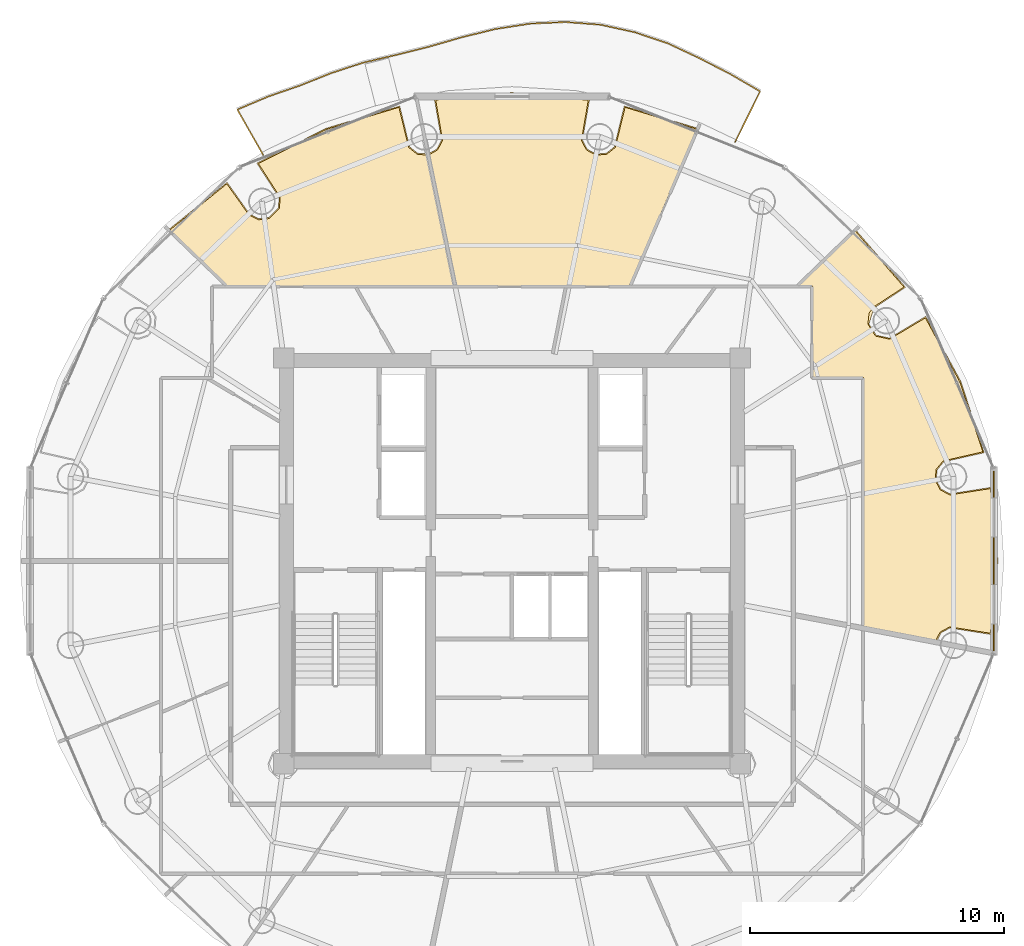
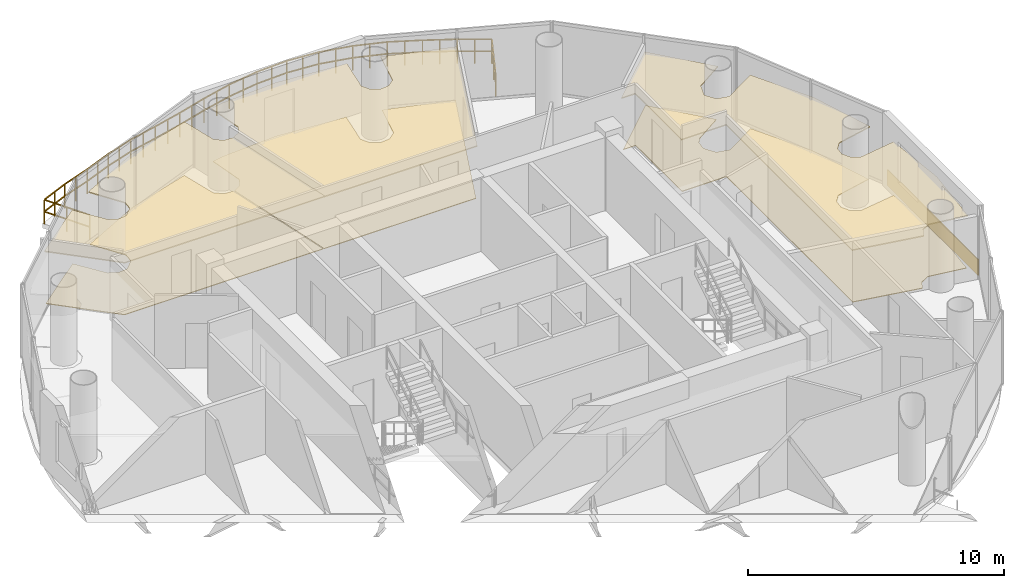
# One storey, part 23 of 23: 7 coverings, 1 railing.
"""IFC4 building model written with IfcOpenShell, lengths in metres."""

from ifc_helpers import new_model, si_unit, direction, frame, origin, origin_2d, place, context, subcontext, project, spatial, polyline, rectangle, outline, extrude, source, transform, mapped, material, layer, layer_set, type_object, element, save


model = new_model("IFC4")

# Units and contexts
model_context = context("Model", 3, precision=1e-05, world=origin(), true_north=direction((-0.2419218956, 0.970295726276)))
body_context = subcontext(model_context, "Body", "Model", "MODEL_VIEW")
ifc_project = project(units=[si_unit("LENGTHUNIT", "METRE"), si_unit("AREAUNIT", "SQUARE_METRE"), si_unit("VOLUMEUNIT", "CUBIC_METRE"), si_unit("PLANEANGLEUNIT", "RADIAN"), si_unit("MASSUNIT", "GRAM", prefix="KILO")], contexts=[model_context])

# Site, building, storey
site_placement = place(None, origin())
site = spatial("IfcSite", under=ifc_project, at=site_placement, CompositionType="ELEMENT")
building_placement = place(site_placement, origin())
building = spatial("IfcBuilding", under=site, at=building_placement, Name="Cobrevalo Terracotta Tower", CompositionType="ELEMENT")
storey_placement = place(building_placement, frame((0.0, 0.0, 266.949951171875)))
storey = spatial("IfcBuildingStorey", under=building, at=storey_placement, Name="L70", CompositionType="ELEMENT", Elevation=266.949951171875)

# Railing
ifc_material_1 = material(Name="Laminated structural glass and stainless steel", Category="steel")
railing_type = type_object("IfcRailingType", Name="Balcony lobe structural glass & terracotta-cap balustrade 1180 mm", PredefinedType="BALUSTRADE", material=ifc_material_1)
railing_placement = place(storey_placement, frame((46.80029296875, 43.32275390625, 0.0)))
element("IfcRailing", 1, at=railing_placement, inside=storey, type_object=railing_type, Name="L70 spiralling balcony lobe balustrade 1", PredefinedType="BALUSTRADE", context=body_context, shape_type="SweptSolid", body=[
    extrude(rectangle(XDim=0.048095703125, YDim=0.048095703125, at=origin_2d()), frame((0.0, 0.0, 1.15576171875), z_axis=(0.443514739531, 0.896267078397, 0.0), x_axis=(-0.896267078397, 0.443514739531, 0.0)), (0.0, 0.0, 1.0), 2.219970703125),
    extrude(rectangle(XDim=0.048095703125, YDim=0.048095703125, at=origin_2d()), frame((0.0, 0.0, 0.58984375), z_axis=(0.443514739531, 0.896267078397, 0.0), x_axis=(-0.896267078397, 0.443514739531, 0.0)), (0.0, 0.0, 1.0), 2.219970703125),
    extrude(rectangle(XDim=0.048095703125, YDim=0.048095703125, at=origin_2d()), frame((0.984619140625, 1.98974609375, 1.15576171875), z_axis=(-0.864105865259, 0.503310096884, 0.0), x_axis=(-0.503310096884, -0.864105865259, 0.0)), (0.0, 0.0, 1.0), 1.353271484375),
    extrude(rectangle(XDim=0.048095703125, YDim=0.048095703125, at=origin_2d()), frame((0.984619140625, 1.98974609375, 0.58984375), z_axis=(-0.864105865259, 0.503310096884, 0.0), x_axis=(-0.503310096884, -0.864105865259, 0.0)), (0.0, 0.0, 1.0), 1.353271484375),
    extrude(rectangle(XDim=0.048095703125, YDim=0.048095703125, at=origin_2d()), frame((-0.184814453125, 2.6708984375, 1.15576171875), z_axis=(-0.889358520321, 0.457210479247, 0.0), x_axis=(-0.457210479247, -0.889358520321, 0.0)), (0.0, 0.0, 1.0), 1.36376953125),
    extrude(rectangle(XDim=0.048095703125, YDim=0.048095703125, at=origin_2d()), frame((-0.184814453125, 2.6708984375, 0.58984375), z_axis=(-0.889358520321, 0.457210479247, 0.0), x_axis=(-0.457210479247, -0.889358520321, 0.0)), (0.0, 0.0, 1.0), 1.36376953125),
    extrude(rectangle(XDim=0.048095703125, YDim=0.048095703125, at=origin_2d()), frame((-1.397705078125, 3.29443359375, 1.15576171875), z_axis=(-0.905254986082, 0.424868697569, 0.0), x_axis=(-0.424868697569, -0.905254986082, 0.0)), (0.0, 0.0, 1.0), 1.380859375),
    extrude(rectangle(XDim=0.048095703125, YDim=0.048095703125, at=origin_2d()), frame((-1.397705078125, 3.29443359375, 0.58984375), z_axis=(-0.905254986082, 0.424868697569, 0.0), x_axis=(-0.424868697569, -0.905254986082, 0.0)), (0.0, 0.0, 1.0), 1.380859375),
    extrude(rectangle(XDim=0.048095703125, YDim=0.048095703125, at=origin_2d()), frame((-2.647705078125, 3.881103515625, 1.15576171875), z_axis=(-0.947617394747, 0.31940769116, 0.0), x_axis=(-0.31940769116, -0.947617394747, 0.0)), (0.0, 0.0, 1.0), 1.381103515625),
    extrude(rectangle(XDim=0.048095703125, YDim=0.048095703125, at=origin_2d()), frame((-2.647705078125, 3.881103515625, 0.58984375), z_axis=(-0.947617394747, 0.31940769116, 0.0), x_axis=(-0.31940769116, -0.947617394747, 0.0)), (0.0, 0.0, 1.0), 1.381103515625),
    extrude(rectangle(XDim=0.048095703125, YDim=0.048095703125, at=origin_2d()), frame((-3.95654296875, 4.322265625, 1.15576171875), z_axis=(-0.976698419764, 0.214616394601, 0.0), x_axis=(-0.214616394601, -0.976698419764, 0.0)), (0.0, 0.0, 1.0), 1.385498046875),
    extrude(rectangle(XDim=0.048095703125, YDim=0.048095703125, at=origin_2d()), frame((-3.95654296875, 4.322265625, 0.58984375), z_axis=(-0.976698419764, 0.214616394601, 0.0), x_axis=(-0.214616394601, -0.976698419764, 0.0)), (0.0, 0.0, 1.0), 1.385498046875),
    extrude(rectangle(XDim=0.048095703125, YDim=0.048095703125, at=origin_2d()), frame((-5.309814453125, 4.61962890625, 1.15576171875), z_axis=(-0.996995023064, 0.077465630996, 0.0), x_axis=(-0.077465630996, -0.996995023064, 0.0)), (0.0, 0.0, 1.0), 1.383544921875),
    extrude(rectangle(XDim=0.048095703125, YDim=0.048095703125, at=origin_2d()), frame((-5.309814453125, 4.61962890625, 0.58984375), z_axis=(-0.996995023064, 0.077465630996, 0.0), x_axis=(-0.077465630996, -0.996995023064, 0.0)), (0.0, 0.0, 1.0), 1.383544921875),
    extrude(rectangle(XDim=0.048095703125, YDim=0.048095703125, at=origin_2d()), frame((-6.689208984375, 4.726806640625, 1.15576171875), z_axis=(-0.998952143207, -0.045766970438, 0.0), x_axis=(0.045766970438, -0.998952143207, 0.0)), (0.0, 0.0, 1.0), 1.386962890625),
    extrude(rectangle(XDim=0.048095703125, YDim=0.048095703125, at=origin_2d()), frame((-6.689208984375, 4.726806640625, 0.58984375), z_axis=(-0.998952143207, -0.045766970438, 0.0), x_axis=(0.045766970438, -0.998952143207, 0.0)), (0.0, 0.0, 1.0), 1.386962890625),
    extrude(rectangle(XDim=0.048095703125, YDim=0.048095703125, at=origin_2d()), frame((-8.07470703125, 4.663330078125, 1.15576171875), z_axis=(-0.988224164346, -0.153013074615, 0.0), x_axis=(0.153013074615, -0.988224164346, 0.0)), (0.0, 0.0, 1.0), 1.3818359375),
    extrude(rectangle(XDim=0.048095703125, YDim=0.048095703125, at=origin_2d()), frame((-8.07470703125, 4.663330078125, 0.58984375), z_axis=(-0.988224164346, -0.153013074615, 0.0), x_axis=(0.153013074615, -0.988224164346, 0.0)), (0.0, 0.0, 1.0), 1.3818359375),
    extrude(rectangle(XDim=0.048095703125, YDim=0.048095703125, at=origin_2d()), frame((-9.440185546875, 4.451904296875, 1.15576171875), z_axis=(-0.971371717498, -0.237564699494, 0.0), x_axis=(0.237564699494, -0.971371717498, 0.0)), (0.0, 0.0, 1.0), 1.3759765625),
    extrude(rectangle(XDim=0.048095703125, YDim=0.048095703125, at=origin_2d()), frame((-9.440185546875, 4.451904296875, 0.58984375), z_axis=(-0.971371717498, -0.237564699494, 0.0), x_axis=(0.237564699494, -0.971371717498, 0.0)), (0.0, 0.0, 1.0), 1.3759765625),
    extrude(rectangle(XDim=0.048095703125, YDim=0.048095703125, at=origin_2d()), frame((-10.77685546875, 4.125, 1.15576171875), z_axis=(-0.961148859988, -0.276030557989, 0.0), x_axis=(0.276030557989, -0.961148859988, 0.0)), (0.0, 0.0, 1.0), 1.35400390625),
    extrude(rectangle(XDim=0.048095703125, YDim=0.048095703125, at=origin_2d()), frame((-10.77685546875, 4.125, 0.58984375), z_axis=(-0.961148859988, -0.276030557989, 0.0), x_axis=(0.276030557989, -0.961148859988, 0.0)), (0.0, 0.0, 1.0), 1.35400390625),
    extrude(rectangle(XDim=0.048095703125, YDim=0.048095703125, at=origin_2d()), frame((-12.078369140625, 3.751220703125, 1.15576171875), z_axis=(-0.970185621417, -0.242363074738, 0.0), x_axis=(0.242363074738, -0.970185621417, 0.0)), (0.0, 0.0, 1.0), 1.331787109375),
    extrude(rectangle(XDim=0.048095703125, YDim=0.048095703125, at=origin_2d()), frame((-12.078369140625, 3.751220703125, 0.58984375), z_axis=(-0.970185621417, -0.242363074738, 0.0), x_axis=(0.242363074738, -0.970185621417, 0.0)), (0.0, 0.0, 1.0), 1.331787109375),
    extrude(rectangle(XDim=0.048095703125, YDim=0.048095703125, at=origin_2d()), frame((-13.370361328125, 3.428466796875, 1.15576171875), z_axis=(-0.973605429616, -0.228237743205, 0.0), x_axis=(0.228237743205, -0.973605429616, 0.0)), (0.0, 0.0, 1.0), 1.32421875),
    extrude(rectangle(XDim=0.048095703125, YDim=0.048095703125, at=origin_2d()), frame((-13.370361328125, 3.428466796875, 0.58984375), z_axis=(-0.973605429616, -0.228237743205, 0.0), x_axis=(0.228237743205, -0.973605429616, 0.0)), (0.0, 0.0, 1.0), 1.32421875),
    extrude(rectangle(XDim=0.048095703125, YDim=0.048095703125, at=origin_2d()), frame((-14.65966796875, 3.126220703125, 1.15576171875), z_axis=(-0.950799488594, -0.309806927762, 0.0), x_axis=(0.309806927762, -0.950799488594, 0.0)), (0.0, 0.0, 1.0), 1.32470703125),
    extrude(rectangle(XDim=0.048095703125, YDim=0.048095703125, at=origin_2d()), frame((-14.65966796875, 3.126220703125, 0.58984375), z_axis=(-0.950799488594, -0.309806927762, 0.0), x_axis=(0.309806927762, -0.950799488594, 0.0)), (0.0, 0.0, 1.0), 1.32470703125),
    extrude(rectangle(XDim=0.048095703125, YDim=0.048095703125, at=origin_2d()), frame((-15.919189453125, 2.7158203125, 1.15576171875), z_axis=(-0.928731399284, -0.370753271037, 0.0), x_axis=(0.370753271037, -0.928731399284, 0.0)), (0.0, 0.0, 1.0), 1.321044921875),
    extrude(rectangle(XDim=0.048095703125, YDim=0.048095703125, at=origin_2d()), frame((-15.919189453125, 2.7158203125, 0.58984375), z_axis=(-0.928731399284, -0.370753271037, 0.0), x_axis=(0.370753271037, -0.928731399284, 0.0)), (0.0, 0.0, 1.0), 1.321044921875),
    extrude(rectangle(XDim=0.048095703125, YDim=0.048095703125, at=origin_2d()), frame((-17.14599609375, 2.22607421875, 1.15576171875), z_axis=(-0.945304609159, -0.326188896045, 0.0), x_axis=(0.326188896045, -0.945304609159, 0.0)), (0.0, 0.0, 1.0), 1.32861328125),
    extrude(rectangle(XDim=0.048095703125, YDim=0.048095703125, at=origin_2d()), frame((-17.14599609375, 2.22607421875, 0.58984375), z_axis=(-0.945304609159, -0.326188896045, 0.0), x_axis=(0.326188896045, -0.945304609159, 0.0)), (0.0, 0.0, 1.0), 1.32861328125),
    extrude(rectangle(XDim=0.048095703125, YDim=0.048095703125, at=origin_2d()), frame((-18.40185546875, 1.792724609375, 1.15576171875), z_axis=(-0.92115915726, -0.389186082737, 0.0), x_axis=(0.389186082737, -0.92115915726, 0.0)), (0.0, 0.0, 1.0), 1.333740234375),
    extrude(rectangle(XDim=0.048095703125, YDim=0.048095703125, at=origin_2d()), frame((-18.40185546875, 1.792724609375, 0.58984375), z_axis=(-0.92115915726, -0.389186082737, 0.0), x_axis=(0.389186082737, -0.92115915726, 0.0)), (0.0, 0.0, 1.0), 1.333740234375),
    extrude(rectangle(XDim=0.048095703125, YDim=0.048095703125, at=origin_2d()), frame((-19.63037109375, 1.273681640625, 1.15576171875), z_axis=(0.494972170145, -0.868908827658, 0.0), x_axis=(0.868908827658, 0.494972170145, 0.0)), (0.0, 0.0, 1.0), 2.05126953125),
    extrude(rectangle(XDim=0.048095703125, YDim=0.048095703125, at=origin_2d()), frame((-19.63037109375, 1.273681640625, 0.58984375), z_axis=(0.494972170145, -0.868908827658, 0.0), x_axis=(0.868908827658, 0.494972170145, 0.0)), (0.0, 0.0, 1.0), 2.05126953125),
    extrude(rectangle(XDim=0.0419921875, YDim=0.0419921875, at=origin_2d()), origin(), (0.0, 0.0, 1.0), 1.1318359375),
    extrude(rectangle(XDim=0.0419921875, YDim=0.0419921875, at=origin_2d()), frame((0.4921875, 0.994873046875, 0.0)), (0.0, 0.0, 1.0), 1.1318359375),
    extrude(rectangle(XDim=0.0419921875, YDim=0.0419921875, at=origin_2d()), frame((0.984619140625, 1.98974609375, 0.0)), (0.0, 0.0, 1.0), 1.1318359375),
    extrude(rectangle(XDim=0.0419921875, YDim=0.0419921875, at=origin_2d()), frame((0.39990234375, 2.330322265625, 0.0)), (0.0, 0.0, 1.0), 1.1318359375),
    extrude(rectangle(XDim=0.0419921875, YDim=0.0419921875, at=origin_2d()), frame((-0.184814453125, 2.6708984375, 0.0)), (0.0, 0.0, 1.0), 1.1318359375),
    extrude(rectangle(XDim=0.0419921875, YDim=0.0419921875, at=origin_2d()), frame((-0.791259765625, 2.982666015625, 0.0)), (0.0, 0.0, 1.0), 1.1318359375),
    extrude(rectangle(XDim=0.0419921875, YDim=0.0419921875, at=origin_2d()), frame((-1.397705078125, 3.29443359375, 0.0)), (0.0, 0.0, 1.0), 1.1318359375),
    extrude(rectangle(XDim=0.0419921875, YDim=0.0419921875, at=origin_2d()), frame((-2.022705078125, 3.587890625, 0.0)), (0.0, 0.0, 1.0), 1.1318359375),
    extrude(rectangle(XDim=0.0419921875, YDim=0.0419921875, at=origin_2d()), frame((-2.647705078125, 3.881103515625, 0.0)), (0.0, 0.0, 1.0), 1.1318359375),
    extrude(rectangle(XDim=0.0419921875, YDim=0.0419921875, at=origin_2d()), frame((-3.30224609375, 4.1015625, 0.0)), (0.0, 0.0, 1.0), 1.1318359375),
    extrude(rectangle(XDim=0.0419921875, YDim=0.0419921875, at=origin_2d()), frame((-3.95654296875, 4.322265625, 0.0)), (0.0, 0.0, 1.0), 1.1318359375),
    extrude(rectangle(XDim=0.0419921875, YDim=0.0419921875, at=origin_2d()), frame((-4.63330078125, 4.470947265625, 0.0)), (0.0, 0.0, 1.0), 1.1318359375),
    extrude(rectangle(XDim=0.0419921875, YDim=0.0419921875, at=origin_2d()), frame((-5.309814453125, 4.61962890625, 0.0)), (0.0, 0.0, 1.0), 1.1318359375),
    extrude(rectangle(XDim=0.0419921875, YDim=0.0419921875, at=origin_2d()), frame((-5.99951171875, 4.67333984375, 0.0)), (0.0, 0.0, 1.0), 1.1318359375),
    extrude(rectangle(XDim=0.0419921875, YDim=0.0419921875, at=origin_2d()), frame((-6.689208984375, 4.726806640625, 0.0)), (0.0, 0.0, 1.0), 1.1318359375),
    extrude(rectangle(XDim=0.0419921875, YDim=0.0419921875, at=origin_2d()), frame((-7.3818359375, 4.695068359375, 0.0)), (0.0, 0.0, 1.0), 1.1318359375),
    extrude(rectangle(XDim=0.0419921875, YDim=0.0419921875, at=origin_2d()), frame((-8.07470703125, 4.663330078125, 0.0)), (0.0, 0.0, 1.0), 1.1318359375),
    extrude(rectangle(XDim=0.0419921875, YDim=0.0419921875, at=origin_2d()), frame((-8.75732421875, 4.5576171875, 0.0)), (0.0, 0.0, 1.0), 1.1318359375),
    extrude(rectangle(XDim=0.0419921875, YDim=0.0419921875, at=origin_2d()), frame((-9.440185546875, 4.451904296875, 0.0)), (0.0, 0.0, 1.0), 1.1318359375),
    extrude(rectangle(XDim=0.0419921875, YDim=0.0419921875, at=origin_2d()), frame((-10.1083984375, 4.28857421875, 0.0)), (0.0, 0.0, 1.0), 1.1318359375),
    extrude(rectangle(XDim=0.0419921875, YDim=0.0419921875, at=origin_2d()), frame((-10.77685546875, 4.125, 0.0)), (0.0, 0.0, 1.0), 1.1318359375),
    extrude(rectangle(XDim=0.0419921875, YDim=0.0419921875, at=origin_2d()), frame((-11.427734375, 3.93798828125, 0.0)), (0.0, 0.0, 1.0), 1.1318359375),
    extrude(rectangle(XDim=0.0419921875, YDim=0.0419921875, at=origin_2d()), frame((-12.078369140625, 3.751220703125, 0.0)), (0.0, 0.0, 1.0), 1.1318359375),
    extrude(rectangle(XDim=0.0419921875, YDim=0.0419921875, at=origin_2d()), frame((-12.724365234375, 3.58984375, 0.0)), (0.0, 0.0, 1.0), 1.1318359375),
    extrude(rectangle(XDim=0.0419921875, YDim=0.0419921875, at=origin_2d()), frame((-13.370361328125, 3.428466796875, 0.0)), (0.0, 0.0, 1.0), 1.1318359375),
    extrude(rectangle(XDim=0.0419921875, YDim=0.0419921875, at=origin_2d()), frame((-14.01513671875, 3.27734375, 0.0)), (0.0, 0.0, 1.0), 1.1318359375),
    extrude(rectangle(XDim=0.0419921875, YDim=0.0419921875, at=origin_2d()), frame((-14.65966796875, 3.126220703125, 0.0)), (0.0, 0.0, 1.0), 1.1318359375),
    extrude(rectangle(XDim=0.0419921875, YDim=0.0419921875, at=origin_2d()), frame((-15.28955078125, 2.9208984375, 0.0)), (0.0, 0.0, 1.0), 1.1318359375),
    extrude(rectangle(XDim=0.0419921875, YDim=0.0419921875, at=origin_2d()), frame((-15.919189453125, 2.7158203125, 0.0)), (0.0, 0.0, 1.0), 1.1318359375),
    extrude(rectangle(XDim=0.0419921875, YDim=0.0419921875, at=origin_2d()), frame((-16.53271484375, 2.470947265625, 0.0)), (0.0, 0.0, 1.0), 1.1318359375),
    extrude(rectangle(XDim=0.0419921875, YDim=0.0419921875, at=origin_2d()), frame((-17.14599609375, 2.22607421875, 0.0)), (0.0, 0.0, 1.0), 1.1318359375),
    extrude(rectangle(XDim=0.0419921875, YDim=0.0419921875, at=origin_2d()), frame((-17.77392578125, 2.00927734375, 0.0)), (0.0, 0.0, 1.0), 1.1318359375),
    extrude(rectangle(XDim=0.0419921875, YDim=0.0419921875, at=origin_2d()), frame((-18.40185546875, 1.792724609375, 0.0)), (0.0, 0.0, 1.0), 1.1318359375),
    extrude(rectangle(XDim=0.0419921875, YDim=0.0419921875, at=origin_2d()), frame((-19.01611328125, 1.533203125, 0.0)), (0.0, 0.0, 1.0), 1.1318359375),
    extrude(rectangle(XDim=0.0419921875, YDim=0.0419921875, at=origin_2d()), frame((-19.63037109375, 1.273681640625, 0.0)), (0.0, 0.0, 1.0), 1.1318359375),
    extrude(rectangle(XDim=0.0419921875, YDim=0.0419921875, at=origin_2d()), frame((-19.12255859375, 0.38232421875, 0.0)), (0.0, 0.0, 1.0), 1.1318359375),
    extrude(rectangle(XDim=0.0419921875, YDim=0.0419921875, at=origin_2d()), frame((-18.614990234375, -0.5087890625, 0.0)), (0.0, 0.0, 1.0), 1.1318359375),
])

# Coverings
ifc_material_2 = material(Name="Engineered Brazilian hardwood flooring", Category="wood")
ifc_layer_1 = layer(ifc_material_2, 0.028076171875)
ifc_layer_set_1 = layer_set([ifc_layer_1], Name="Engineered Brazilian hardwood flooring")
covering_type_1 = type_object("IfcCoveringType", Name="Engineered Hardwood Suite Flooring 28", PredefinedType="FLOORING", material=ifc_layer_set_1)
covering_1_placement = place(storey_placement, origin())
element("IfcCovering", 2, at=covering_1_placement, inside=storey, type_object=covering_type_1, Name="Flat L70A Living and Dining Room floor finish", PredefinedType="FLOORING", context=body_context, shape_type="SweptSolid", body=[
    extrude(outline(polyline([(51.52978515625, 39.81396484375), (53.4560546875, 37.599365234375), (52.2451171875, 36.805419921875), (52.080078125, 36.568359375), (52.0302734375, 36.1416015625), (52.336181640625, 35.664794921875), (52.8896484375, 35.5439453125), (54.300048828125, 36.382568359375), (55.66455078125, 33.848876953125), (56.56494140625, 31.1005859375), (55.00244140625, 30.74462890625), (54.727294921875, 30.41455078125), (54.681884765625, 29.9873046875), (54.881591796875, 29.60693359375), (55.259033203125, 29.401611328125), (56.8642578125, 29.65087890625), (57.119873046875, 26.800048828125), (56.8642578125, 23.948974609375), (55.259033203125, 24.198486328125), (54.881591796875, 23.9931640625), (54.6845703125, 23.621337890625), (51.85498046875, 24.163818359375), (51.85498046875, 34.030029296875), (49.844970703125, 34.030029296875), (49.844970703125, 37.64501953125), (49.27978515625, 37.64501953125), (51.52978515625, 39.81396484375)])), origin(), (0.0, 0.0, 1.0), 0.030029296875),
])
covering_2_placement = place(storey_placement, origin())
element("IfcCovering", 3, at=covering_2_placement, inside=storey, type_object=covering_type_1, Name="Flat L70A Penthouse Family Lounge floor finish", PredefinedType="FLOORING", context=body_context, shape_type="SweptSolid", body=[
    extrude(outline(polyline([(34.71728515625, 42.80712890625), (35.064453125, 43.003173828125), (35.26416015625, 43.3837890625), (34.994140625, 44.964599609375), (35.504150390625, 45.062255859375), (38.0, 45.219970703125), (41.005859375, 44.964599609375), (40.73583984375, 43.3837890625), (40.935546875, 43.003173828125), (41.312744140625, 42.797607421875), (41.74072265625, 42.83642578125), (42.074951171875, 43.1064453125), (42.45947265625, 44.68603515625), (45.294189453125, 43.8251953125), (42.638427734375, 37.64501953125), (35.782470703125, 37.64501953125), (34.71728515625, 42.80712890625)])), origin(), (0.0, 0.0, 1.0), 0.030029296875),
])
covering_3_placement = place(storey_placement, origin())
element("IfcCovering", 4, at=covering_3_placement, inside=storey, type_object=covering_type_1, Name="Flat L70A Principal Guest Bedroom floor finish", PredefinedType="FLOORING", context=body_context, shape_type="SweptSolid", body=[
    extrude(outline(polyline([(24.49951171875, 39.841064453125), (26.756103515625, 41.668212890625), (27.625244140625, 40.443603515625), (28.0078125, 40.248046875), (28.4345703125, 40.29833984375), (28.82763671875, 40.706298828125), (28.861572265625, 41.134521484375), (28.00146484375, 42.4697265625), (30.682861328125, 43.817626953125), (33.54052734375, 44.68603515625), (33.925048828125, 43.1064453125), (34.25927734375, 42.83642578125), (34.678466796875, 42.796630859375), (35.74169921875, 37.64501953125), (26.77783203125, 37.64501953125), (24.49951171875, 39.841064453125)])), origin(), (0.0, 0.0, 1.0), 0.030029296875),
])
ifc_material_3 = material(Name="Acoustic perforated gypsum ceiling", Category="gypsum")
ifc_layer_2 = layer(ifc_material_3, 0.050048828125)
ifc_layer_set_2 = layer_set([ifc_layer_2], Name="Acoustic perforated gypsum ceiling")
covering_type_2 = type_object("IfcCoveringType", Name="Perforated Acoustic Gypsum Ceiling 50", PredefinedType="CEILING", material=ifc_layer_set_2)
covering_4_placement = place(storey_placement, frame((0.0, 0.0, 2.5)))
element("IfcCovering", 5, at=covering_4_placement, inside=storey, type_object=covering_type_2, Name="Flat L70A Living and Dining Room acoustic ceiling", PredefinedType="CEILING", context=body_context, shape_type="SweptSolid", body=[
    extrude(outline(polyline([(51.531982421875, 39.87841796875), (53.51953125, 37.586669921875), (52.2763671875, 36.772705078125), (52.07470703125, 36.1494140625), (52.362060546875, 35.701904296875), (52.881591796875, 35.588623046875), (54.312255859375, 36.44384765625), (55.7060546875, 33.86669921875), (56.6181640625, 31.06494140625), (55.02734375, 30.70703125), (54.76904296875, 30.39697265625), (54.726318359375, 29.995849609375), (54.913818359375, 29.638671875), (55.268310546875, 29.44580078125), (56.899169921875, 29.703369140625), (57.1650390625, 26.800048828125), (56.899169921875, 23.896484375), (55.268310546875, 24.154296875), (54.913818359375, 23.96142578125), (54.716064453125, 23.569580078125), (51.81005859375, 24.126708984375), (51.81005859375, 33.985107421875), (49.800048828125, 33.985107421875), (49.800048828125, 37.60009765625), (49.168212890625, 37.60009765625), (51.531982421875, 39.87841796875)])), origin(), (0.0, 0.0, 1.0), 0.050048828125),
])
covering_5_placement = place(storey_placement, frame((0.0, 0.0, 2.5)))
element("IfcCovering", 6, at=covering_5_placement, inside=storey, type_object=covering_type_2, Name="Flat L70A Penthouse Family Lounge acoustic ceiling", PredefinedType="CEILING", context=body_context, shape_type="SweptSolid", body=[
    extrude(outline(polyline([(34.6650390625, 42.837890625), (35.0322265625, 43.034912109375), (35.2197265625, 43.39208984375), (34.94091796875, 45.000244140625), (35.49853515625, 45.107177734375), (38.0, 45.26513671875), (41.05908203125, 45.000244140625), (40.7802734375, 43.39208984375), (40.9677734375, 43.034912109375), (41.322021484375, 42.842041015625), (41.7236328125, 42.87841796875), (42.03759765625, 43.1318359375), (42.424560546875, 44.738525390625), (45.35498046875, 43.852783203125), (42.668212890625, 37.60009765625), (35.745849609375, 37.60009765625), (34.6650390625, 42.837890625)])), origin(), (0.0, 0.0, 1.0), 0.050048828125),
])
covering_6_placement = place(storey_placement, frame((0.0, 0.0, 2.5)))
element("IfcCovering", 7, at=covering_6_placement, inside=storey, type_object=covering_type_2, Name="Flat L70A Principal Guest Bedroom acoustic ceiling", PredefinedType="CEILING", context=body_context, shape_type="SweptSolid", body=[
    extrude(outline(polyline([(24.432373046875, 39.84326171875), (26.768310546875, 41.7294921875), (27.656494140625, 40.47607421875), (28.015869140625, 40.292724609375), (28.41650390625, 40.339599609375), (28.785400390625, 40.72265625), (28.8173828125, 41.124755859375), (27.937744140625, 42.482421875), (30.666259765625, 43.859619140625), (33.575439453125, 44.738525390625), (33.96240234375, 43.1318359375), (34.2763671875, 42.87841796875), (34.71435546875, 42.845703125), (35.796875, 37.60009765625), (26.759765625, 37.60009765625), (24.432373046875, 39.84326171875)])), origin(), (0.0, 0.0, 1.0), 0.050048828125),
])
ifc_material_4 = material(Name="Glazed terracotta facade cladding tile", Category="masonry")
ifc_layer_3 = layer(ifc_material_4, 0.044921875)
ifc_layer_set_3 = layer_set([ifc_layer_3], Name="Glazed terracotta facade cladding tile")
covering_type_3 = type_object("IfcCoveringType", Name="Architectural terracotta rainscreen spandrel cladding 45 mm", PredefinedType="CLADDING", material=ifc_layer_set_3)
shared_shape = source(origin(), body_context, "Body", "SweptSolid", [
    extrude(rectangle(XDim=7.084716796875, YDim=0.044921875, at=origin_2d()), origin(), (0.0, 0.0, 1.0), 0.760009765625),
])
covering_7_placement = place(storey_placement, frame((56.997802734375, 26.800048828125, 0.0400390625), z_axis=(0.0, 0.0, 1.0), x_axis=(0.0, 1.0, 0.0)))
element("IfcCovering", 8, at=covering_7_placement, inside=storey, type_object=covering_type_3, Name="L70 terracotta spandrel cladding S16", PredefinedType="CLADDING", context=body_context, shape_type="MappedRepresentation", body=[
    mapped(shared_shape, transform((0.0, 0.0, 0.0), scale=1.0)),
])

save(model, "model.ifc")
